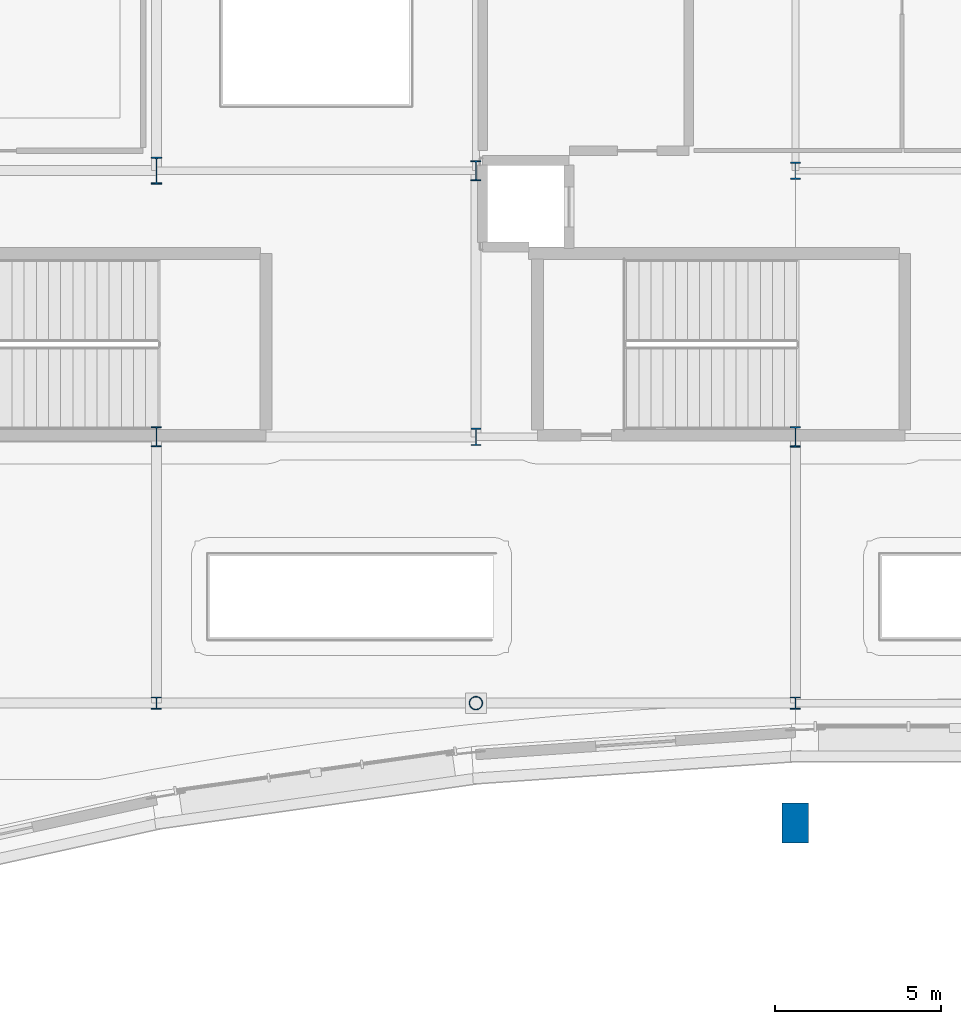
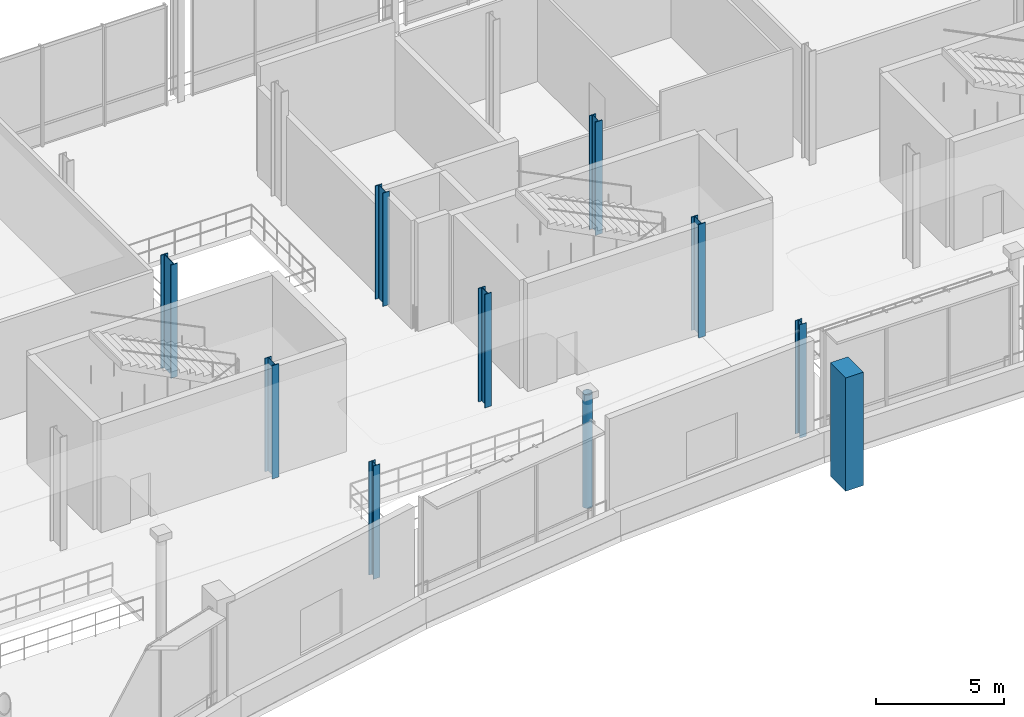
# One storey, part 2 of 129: 10 columns.
"""IFC4 building model written with IfcOpenShell, lengths in metres."""

import ifcopenshell
import ifcopenshell.guid

model = None  # the IFC model being written
_history = None  # IfcOwnerHistory: only IFC2X3 demands one
_inside = {}  # id of a spatial element -> (the spatial element, [elements in it])
_under = {}  # id of a project, library or spatial element -> (it, [spatial elements below it])
_declared = {}  # id of a project -> (the project, [libraries it declares])
_typed = {}  # id of a type object -> (the type object, [elements of that type])
_made_of = {}  # id of a material, layer set ... -> (it, [elements and type objects made of it])


def new_model(schema):
    """Start an empty IFC model of exactly this schema.

    Asked for "IFC4X3", IfcOpenShell would pick the latest addendum, in which some entities
    have other attributes; the version numbers below select the first issue.
    IFC2X3 requires an IfcOwnerHistory on every rooted entity: one is made here for all.
    """
    global model, _history
    if schema == "IFC4X3":
        model = ifcopenshell.file(schema_version=(4, 3, 0, 0))
    else:
        model = ifcopenshell.file(schema=schema)
    _inside.clear()
    _under.clear()
    _declared.clear()
    _typed.clear()
    _made_of.clear()
    _history = None
    if model.schema == "IFC2X3":
        org = make("IfcOrganization", Name="unknown")
        user = make(
            "IfcPersonAndOrganization",
            ThePerson=make("IfcPerson", FamilyName="unknown"),
            TheOrganization=org,
        )
        app = make(
            "IfcApplication",
            ApplicationDeveloper=org,
            Version="unknown",
            ApplicationFullName="unknown",
            ApplicationIdentifier="unknown",
        )
        _history = make(
            "IfcOwnerHistory",
            OwningUser=user,
            OwningApplication=app,
            ChangeAction="ADDED",
            CreationDate=0,
        )
    return model


def make(cls, **values):
    """One entity of the class cls with the attributes given. An attribute that is None is left unset."""
    return model.create_entity(
        cls, **{name: value for name, value in values.items() if value is not None}
    )


def rooted(cls, **values):
    """An entity with a GlobalId (a new one), such as an element, a storey or a relation."""
    return make(cls, GlobalId=ifcopenshell.guid.new(), OwnerHistory=_history, **values)


def si_unit(unit_type, name, prefix=None):
    """IfcSIUnit, for example si_unit("LENGTHUNIT", "METRE", prefix="MILLI")."""
    return make("IfcSIUnit", UnitType=unit_type, Prefix=prefix, Name=name)


def assignment(units):
    """IfcUnitAssignment: the units of a project."""
    return None if units is None else make("IfcUnitAssignment", Units=units)


def point(xyz):
    """IfcCartesianPoint."""
    return None if xyz is None else make("IfcCartesianPoint", Coordinates=xyz)


def direction(xyz):
    """IfcDirection."""
    return None if xyz is None else make("IfcDirection", DirectionRatios=xyz)


def frame(location, z_axis=None, x_axis=None):
    """IfcAxis2Placement3D, a coordinate frame: its origin and axes. An axis left out is left unset."""
    return make(
        "IfcAxis2Placement3D",
        Location=point(location),
        Axis=direction(z_axis),
        RefDirection=direction(x_axis),
    )


def frame_2d(location, x_axis=None):
    """IfcAxis2Placement2D, a coordinate frame in the plane: its origin and x axis."""
    return make(
        "IfcAxis2Placement2D", Location=point(location), RefDirection=direction(x_axis)
    )


def origin():
    """The frame at (0, 0, 0) with its axes left unset."""
    return frame((0.0, 0.0, 0.0))


def origin_2d():
    """The frame at (0, 0) in the plane with its x axis left unset."""
    return frame_2d((0.0, 0.0))


def place(relative_to, where):
    """IfcLocalPlacement: puts the frame where relative to a parent placement (None: the world)."""
    return make(
        "IfcLocalPlacement", PlacementRelTo=relative_to, RelativePlacement=where
    )


def context(
    kind, dimensions, precision=None, world=None, true_north=None, identifier=None
):
    """IfcGeometricRepresentationContext, for example the 3D "Model" context."""
    return make(
        "IfcGeometricRepresentationContext",
        ContextIdentifier=identifier,
        ContextType=kind,
        CoordinateSpaceDimension=dimensions,
        Precision=precision,
        WorldCoordinateSystem=world,
        TrueNorth=true_north,
    )


def subcontext(parent, identifier, kind, view, scale=None):
    """IfcGeometricRepresentationSubContext, for example "Body" below "Model"."""
    return make(
        "IfcGeometricRepresentationSubContext",
        ContextIdentifier=identifier,
        ContextType=kind,
        ParentContext=parent,
        TargetScale=scale,
        TargetView=view,
    )


def project(units=None, contexts=None):
    """IfcProject with its units and contexts."""
    return rooted(
        "IfcProject",
        Name="project",
        RepresentationContexts=contexts,
        UnitsInContext=assignment(units),
    )


def spatial(cls, under=None, at=None, **own):
    """A site, building, storey or space (cls), placed at a placement, below another one or the project."""
    s = rooted(cls, ObjectPlacement=at, **own)
    if under is not None:
        _under.setdefault(under.id(), (under, []))[1].append(s)
    return s


def profile(cls, at=None, kind="AREA", **sizes):
    """A parametric profile (cls). Its sizes go by their IFC names, for example OverallWidth=200.0."""
    return make(cls, ProfileType=kind, Position=at, **sizes)


def rectangle(**sizes):
    """IfcRectangleProfileDef."""
    return profile("IfcRectangleProfileDef", **sizes)


def hollow_circle(**sizes):
    """IfcCircleHollowProfileDef."""
    return profile("IfcCircleHollowProfileDef", **sizes)


def i_section(**sizes):
    """IfcIShapeProfileDef."""
    return profile("IfcIShapeProfileDef", **sizes)


def extrude(swept, where, along, depth):
    """IfcExtrudedAreaSolid: the profile swept, set in the frame where, extruded along a direction by depth."""
    return make(
        "IfcExtrudedAreaSolid",
        SweptArea=swept,
        Position=where,
        ExtrudedDirection=direction(along),
        Depth=depth,
    )


def shape(context_of_items, identifier, shape_type, items):
    """IfcShapeRepresentation: the items that make up one representation, for example the "Body"."""
    return make(
        "IfcShapeRepresentation",
        ContextOfItems=context_of_items,
        RepresentationIdentifier=identifier,
        RepresentationType=shape_type,
        Items=items,
    )


def material(Name=None, Category=None):
    """IfcMaterial."""
    return make("IfcMaterial", Name=Name, Category=Category)


def material_profile(
    of_material, cross_section, Name=None, Category=None, Priority=None
):
    """IfcMaterialProfile: a cross section and its material."""
    return make(
        "IfcMaterialProfile",
        Name=Name,
        Material=of_material,
        Profile=cross_section,
        Priority=Priority,
        Category=Category,
    )


def profile_set(profiles, Name=None, composite=None):
    """IfcMaterialProfileSet."""
    return make(
        "IfcMaterialProfileSet",
        Name=Name,
        MaterialProfiles=profiles,
        CompositeProfile=composite,
    )


def made_of(thing, what):
    """Note that an element or type object is made of a material, layer set ...; save() writes the relation."""
    if what is not None:
        _made_of.setdefault(what.id(), (what, []))[1].append(thing)
    return thing


def type_object(cls, material=None, **own):
    """A type object (cls), such as IfcWallType, which elements share."""
    return made_of(rooted(cls, **own), material)


def element(
    cls,
    number,
    at=None,
    inside=None,
    cuts=None,
    type_object=None,
    material=None,
    context=None,
    identifier="Body",
    shape_type=None,
    held_by="IfcProductDefinitionShape",
    body=None,
    shapes=None,
    **own,
):
    """One element of the class cls, such as IfcWall. Its Tag is "e" and its number.

    at: its placement. inside: the storey or other place that contains it. cuts: it is an
    opening in that element (IfcRelVoidsElement). A single representation is given by context,
    identifier, shape_type and body (its items); several are given by shapes. held_by: the class
    of the entity that holds the representations. save() writes the other relations.
    """
    e = rooted(cls, Tag="e%d" % number, ObjectPlacement=at, **own)
    if body is not None:
        shapes = [shape(context, identifier, shape_type, body)]
    if shapes is not None:
        e.Representation = make(held_by, Representations=shapes)
    if inside is not None:
        _inside.setdefault(inside.id(), (inside, []))[1].append(e)
    if cuts is not None:
        rooted(
            "IfcRelVoidsElement", RelatingBuildingElement=cuts, RelatedOpeningElement=e
        )
    if type_object is not None:
        _typed.setdefault(type_object.id(), (type_object, []))[1].append(e)
    return made_of(e, material)


def aggregate(whole, parts):
    """IfcRelAggregates: a whole, such as a stair, and the parts it consists of."""
    return rooted("IfcRelAggregates", RelatingObject=whole, RelatedObjects=parts)


def save(model, path):
    """Write the relations noted so far, then the file.

    IfcRelAggregates (storeys below a building ...), IfcRelContainedInSpatialStructure (elements
    in a storey), IfcRelDefinesByType, IfcRelAssociatesMaterial and IfcRelDeclares: one each for
    every whole, place, type object, material and project.
    """
    for whole, parts in _under.values():
        aggregate(whole, parts)
    for where, things in _inside.values():
        rooted(
            "IfcRelContainedInSpatialStructure",
            RelatedElements=things,
            RelatingStructure=where,
        )
    for kind, things in _typed.values():
        rooted("IfcRelDefinesByType", RelatedObjects=things, RelatingType=kind)
    for what, things in _made_of.values():
        rooted("IfcRelAssociatesMaterial", RelatedObjects=things, RelatingMaterial=what)
    for by, libraries in _declared.values():
        rooted("IfcRelDeclares", RelatingContext=by, RelatedDefinitions=libraries)
    model.write(path)


model = new_model("IFC4")

# Units and contexts
model_context = context("Model", 3, precision=1e-05, world=origin(), true_north=direction((0.0, 1.0)))
body_context = subcontext(model_context, "Body", "Model", "MODEL_VIEW")
ifc_project = project(units=[si_unit("LENGTHUNIT", "METRE"), si_unit("AREAUNIT", "SQUARE_METRE"), si_unit("VOLUMEUNIT", "CUBIC_METRE"), si_unit("PLANEANGLEUNIT", "RADIAN"), si_unit("MASSUNIT", "GRAM", prefix="KILO")], contexts=[model_context])

# Site, building, storey
site_placement = place(None, origin())
site = spatial("IfcSite", under=ifc_project, at=site_placement, CompositionType="ELEMENT")
building_placement = place(site_placement, origin())
building = spatial("IfcBuilding", under=site, at=building_placement, Name="Danafjord Basin Convention Centre", CompositionType="ELEMENT")
storey_placement = place(building_placement, frame((0.0, 0.0, 6.0)))
storey = spatial("IfcBuildingStorey", under=building, at=storey_placement, Name="L01", CompositionType="ELEMENT", Elevation=6.0)

# Columns
ifc_material_1 = material(Name="Steel S355", Category="steel")
ifc_material_profile_1 = material_profile(ifc_material_1, hollow_circle(Radius=0.203125, WallThickness=0.02001953125, at=origin_2d()), Name="CHS 406.4x20.0")
ifc_profile_set_1 = profile_set([ifc_material_profile_1], Name="Steel S355")
column_type_1 = type_object("IfcColumnType", Name="COL-C-CHS406", PredefinedType="COLUMN", material=ifc_profile_set_1)
column_1_placement = place(storey_placement, frame((48.0, 8.0, 0.0), z_axis=(0.0, 0.0, 1.0), x_axis=(1.0, 0.0, 0.0)))
element("IfcColumn", 1, at=column_1_placement, inside=storey, type_object=column_type_1, Name="L01 column C-CHS406 at (48.0, 8.0)", PredefinedType="COLUMN", context=body_context, shape_type="SweptSolid", body=[
    extrude(hollow_circle(Radius=0.203125, WallThickness=0.02001953125, at=origin_2d()), origin(), (0.0, 0.0, 1.0), 5.39990234375),
])
ifc_material_profile_2 = material_profile(ifc_material_1, i_section(OverallWidth=0.300048828125, OverallDepth=0.360107421875, WebThickness=0.012451171875, FlangeThickness=0.0224609375, FilletRadius=0.027099609375, at=origin_2d()), Name="HEB 360")
ifc_profile_set_2 = profile_set([ifc_material_profile_2], Name="Steel S355")
column_type_2 = type_object("IfcColumnType", Name="COL-C-HEB360", PredefinedType="COLUMN", material=ifc_profile_set_2)
for number, where, z_axis, x_axis, name in (
    (2, (38.39990234375, 8.0, 0.0), (0.0, 0.0, 1.0), (1.0, 0.0, 0.0), "L01 column C-HEB360 at (38.4, 8.0)"),
    (3, (57.60009765625, 8.0, 0.0), (0.0, 0.0, 1.0), (1.0, 0.0, 0.0), "L01 column C-HEB360 at (57.6, 8.0)"),
):
    element("IfcColumn", number, at=place(storey_placement, frame(where, z_axis=z_axis, x_axis=x_axis)), inside=storey, type_object=column_type_2, Name=name, PredefinedType="COLUMN", context=body_context, shape_type="SweptSolid", body=[
        extrude(i_section(OverallWidth=0.300048828125, OverallDepth=0.360107421875, WebThickness=0.012451171875, FlangeThickness=0.0224609375, FilletRadius=0.027099609375, at=origin_2d()), origin(), (0.0, 0.0, 1.0), 5.39990234375),
    ])
ifc_material_profile_3 = material_profile(ifc_material_1, i_section(OverallWidth=0.300048828125, OverallDepth=0.60009765625, WebThickness=0.015380859375, FlangeThickness=0.030029296875, FilletRadius=0.027099609375, at=origin_2d()), Name="HEB 600")
ifc_profile_set_3 = profile_set([ifc_material_profile_3], Name="Steel S355")
column_type_3 = type_object("IfcColumnType", Name="COL-C-HEB600", PredefinedType="COLUMN", material=ifc_profile_set_3)
for number, where, z_axis, x_axis, name in (
    (4, (38.39990234375, 16.0, 0.0), (0.0, 0.0, 1.0), (1.0, 0.0, 0.0), "L01 column C-HEB600 at (38.4, 16.0)"),
    (5, (48.0, 24.0, 0.0), (0.0, 0.0, 1.0), (1.0, 0.0, 0.0), "L01 column C-HEB600 at (48.0, 24.0)"),
):
    element("IfcColumn", number, at=place(storey_placement, frame(where, z_axis=z_axis, x_axis=x_axis)), inside=storey, type_object=column_type_3, Name=name, PredefinedType="COLUMN", context=body_context, shape_type="SweptSolid", body=[
        extrude(i_section(OverallWidth=0.300048828125, OverallDepth=0.60009765625, WebThickness=0.015380859375, FlangeThickness=0.030029296875, FilletRadius=0.027099609375, at=origin_2d()), origin(), (0.0, 0.0, 1.0), 5.39990234375),
    ])
ifc_material_profile_4 = material_profile(ifc_material_1, i_section(OverallWidth=0.305908203125, OverallDepth=0.52392578125, WebThickness=0.02099609375, FlangeThickness=0.0400390625, FilletRadius=0.027099609375, at=origin_2d()), Name="HEM 500")
ifc_profile_set_4 = profile_set([ifc_material_profile_4], Name="Steel S355")
column_type_4 = type_object("IfcColumnType", Name="COL-C-HEM500", PredefinedType="COLUMN", material=ifc_profile_set_4)
for number, where, z_axis, x_axis, name in (
    (6, (48.0, 16.0, 0.0), (0.0, 0.0, 1.0), (1.0, 0.0, 0.0), "L01 column C-HEM500 at (48.0, 16.0)"),
    (7, (57.60009765625, 24.0, 0.0), (0.0, 0.0, 1.0), (1.0, 0.0, 0.0), "L01 column C-HEM500 at (57.6, 24.0)"),
):
    element("IfcColumn", number, at=place(storey_placement, frame(where, z_axis=z_axis, x_axis=x_axis)), inside=storey, type_object=column_type_4, Name=name, PredefinedType="COLUMN", context=body_context, shape_type="SweptSolid", body=[
        extrude(i_section(OverallWidth=0.305908203125, OverallDepth=0.52392578125, WebThickness=0.02099609375, FlangeThickness=0.0400390625, FilletRadius=0.027099609375, at=origin_2d()), origin(), (0.0, 0.0, 1.0), 5.39990234375),
    ])
ifc_material_profile_5 = material_profile(ifc_material_1, i_section(OverallWidth=0.304931640625, OverallDepth=0.6201171875, WebThickness=0.02099609375, FlangeThickness=0.0400390625, FilletRadius=0.027099609375, at=origin_2d()), Name="HEM 600")
ifc_profile_set_5 = profile_set([ifc_material_profile_5], Name="Steel S355")
column_type_5 = type_object("IfcColumnType", Name="COL-C-HEM600", PredefinedType="COLUMN", material=ifc_profile_set_5)
column_2_placement = place(storey_placement, frame((57.60009765625, 16.0, 0.0), z_axis=(0.0, 0.0, 1.0), x_axis=(1.0, 0.0, 0.0)))
element("IfcColumn", 8, at=column_2_placement, inside=storey, type_object=column_type_5, Name="L01 column C-HEM600 at (57.6, 16.0)", PredefinedType="COLUMN", context=body_context, shape_type="SweptSolid", body=[
    extrude(i_section(OverallWidth=0.304931640625, OverallDepth=0.6201171875, WebThickness=0.02099609375, FlangeThickness=0.0400390625, FilletRadius=0.027099609375, at=origin_2d()), origin(), (0.0, 0.0, 1.0), 5.39990234375),
])
ifc_material_profile_6 = material_profile(ifc_material_1, i_section(OverallWidth=0.302978515625, OverallDepth=0.81396484375, WebThickness=0.02099609375, FlangeThickness=0.0400390625, FilletRadius=0.030029296875, at=origin_2d()), Name="HEM 800")
ifc_profile_set_6 = profile_set([ifc_material_profile_6], Name="Steel S355")
column_type_6 = type_object("IfcColumnType", Name="COL-C-HEM800", PredefinedType="COLUMN", material=ifc_profile_set_6)
column_3_placement = place(storey_placement, frame((38.39990234375, 24.0, 0.0), z_axis=(0.0, 0.0, 1.0), x_axis=(1.0, 0.0, 0.0)))
element("IfcColumn", 9, at=column_3_placement, inside=storey, type_object=column_type_6, Name="L01 column C-HEM800 at (38.4, 24.0)", PredefinedType="COLUMN", context=body_context, shape_type="SweptSolid", body=[
    extrude(i_section(OverallWidth=0.302978515625, OverallDepth=0.81396484375, WebThickness=0.02099609375, FlangeThickness=0.0400390625, FilletRadius=0.030029296875, at=origin_2d()), origin(), (0.0, 0.0, 1.0), 5.39990234375),
])
ifc_material_2 = material(Name="Precast concrete C45/55", Category="concrete")
ifc_material_profile_7 = material_profile(ifc_material_2, rectangle(XDim=0.800048828125, YDim=1.199951171875, at=origin_2d()), Name="RC 1200x800")
ifc_profile_set_7 = profile_set([ifc_material_profile_7], Name="Precast concrete C45/55")
column_type_7 = type_object("IfcColumnType", Name="COL-C-PIL1200", PredefinedType="PILASTER", material=ifc_profile_set_7)
column_4_placement = place(storey_placement, frame((57.60009765625, 4.39990234375, 0.0), z_axis=(0.0, 0.0, 1.0), x_axis=(1.0, 0.0, 0.0)))
element("IfcColumn", 10, at=column_4_placement, inside=storey, type_object=column_type_7, Name="L01 column C-PIL1200 at (57.6, 4.4)", PredefinedType="PILASTER", context=body_context, shape_type="SweptSolid", body=[
    extrude(rectangle(XDim=0.800048828125, YDim=1.199951171875, at=origin_2d()), origin(), (0.0, 0.0, 1.0), 5.39990234375),
])

save(model, "model.ifc")
